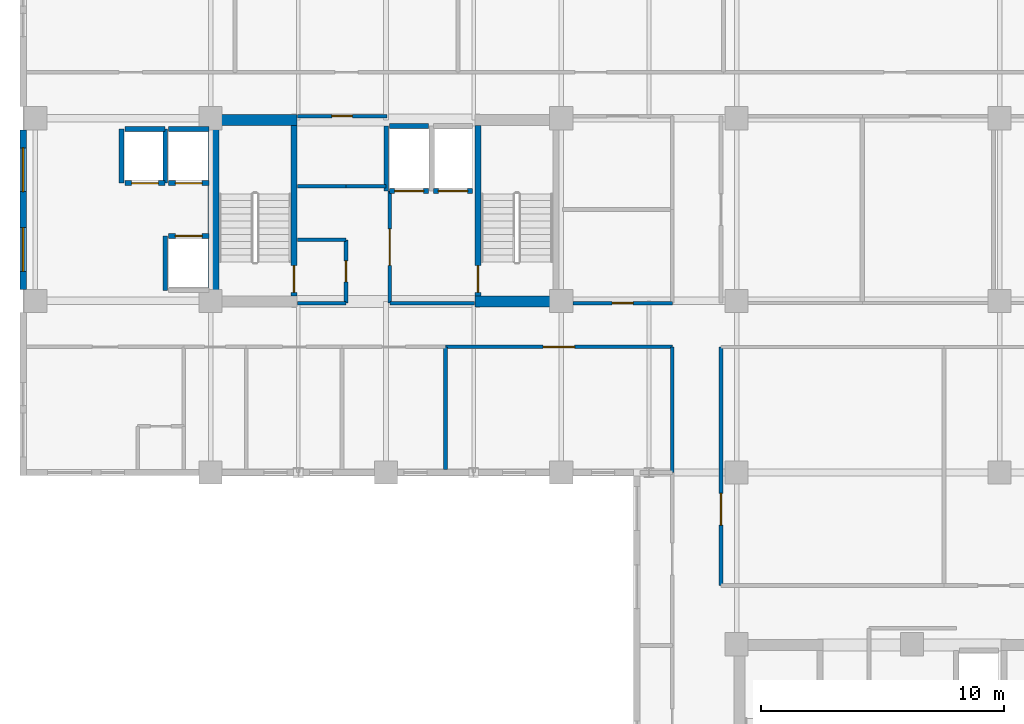
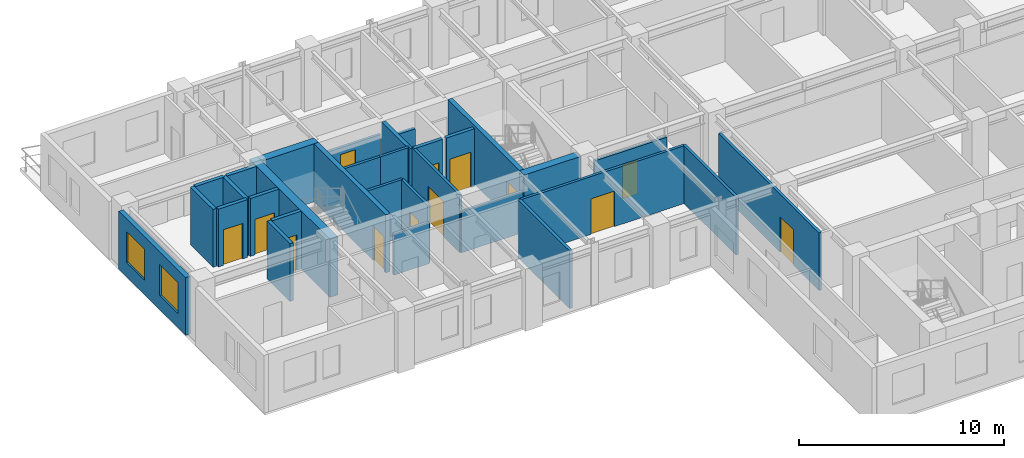
# One storey, part 6 of 13: 31 walls, 13 doors, 2 windows, 15 openings.
"""IFC4 building model written with IfcOpenShell, lengths in metres."""

from ifc_helpers import new_model, si_unit, direction, frame, frame_2d, origin, place, context, subcontext, project, spatial, rectangle, extrude, material, layer, layer_set, type_object, element, fill, save


model = new_model("IFC4")

# Units and contexts
model_context = context("Model", 3, precision=1e-05, world=origin(), true_north=direction((0.0, 1.0)))
body_context = subcontext(model_context, "Body", "Model", "MODEL_VIEW")
ifc_project = project(units=[si_unit("LENGTHUNIT", "METRE"), si_unit("AREAUNIT", "SQUARE_METRE"), si_unit("VOLUMEUNIT", "CUBIC_METRE"), si_unit("PLANEANGLEUNIT", "RADIAN"), si_unit("MASSUNIT", "GRAM", prefix="KILO")], contexts=[model_context])

# Site, building, storey
site_placement = place(None, origin())
site = spatial("IfcSite", under=ifc_project, at=site_placement, CompositionType="ELEMENT")
building_placement = place(site_placement, origin())
building = spatial("IfcBuilding", under=site, at=building_placement, Name="Kaliganga Portal Commons", CompositionType="ELEMENT")
storey_placement = place(building_placement, frame((0.0, 0.0, 209.199951171875)))
storey = spatial("IfcBuildingStorey", under=building, at=storey_placement, Name="L53", CompositionType="ELEMENT", Elevation=209.199951171875)

# Walls
ifc_material_1 = material(Name="Concrete C60/75", Category="concrete")
ifc_layer_1 = layer(ifc_material_1, 0.449951171875)
ifc_layer_set_1 = layer_set([ifc_layer_1], Name="Concrete C60/75")
wall_type_1 = type_object("IfcWallType", Name="WL-CORE-450", PredefinedType="SHEAR", material=ifc_layer_set_1)
wall_1_placement = place(storey_placement, frame((14.52490234375, 28.39990234375, 0.0), z_axis=(0.0, 0.0, 1.0), x_axis=(0.0, 1.0, 0.0)))
element("IfcWall", 1, at=wall_1_placement, inside=storey, type_object=wall_type_1, Name="Core A West Shear Wall L53", PredefinedType="SHEAR", context=body_context, shape_type="SweptSolid", body=[
    extrude(rectangle(XDim=7.900146484375, YDim=0.449951171875, at=frame_2d((3.9501953125, 0.0))), origin(), (0.0, 0.0, 1.0), 3.469970703125),
])
for number, where, z_axis, x_axis, name in (
    (2, (25.25, 28.625, 0.0), (0.0, 0.0, 1.0), (1.0, 0.0, 0.0), "Core A S-East Shear Wall L53"),
    (3, (14.75, 36.074951171875, 0.0), (0.0, 0.0, 1.0), (1.0, 0.0, 0.0), "Core A N-West Shear Wall L53"),
):
    element("IfcWall", number, at=place(storey_placement, frame(where, z_axis=z_axis, x_axis=x_axis)), inside=storey, type_object=wall_type_1, Name=name, PredefinedType="SHEAR", context=body_context, shape_type="SweptSolid", body=[
        extrude(rectangle(XDim=3.199951171875, YDim=0.449951171875, at=frame_2d((1.60009765625, 0.0))), origin(), (0.0, 0.0, 1.0), 3.469970703125),
    ])

# Wall, openings, windows
ifc_material_2 = material(Name="Insulated Aluminium-Clad Spandrel Assembly", Category="aluminium")
ifc_layer_2 = layer(ifc_material_2, 0.260009765625)
ifc_layer_set_2 = layer_set([ifc_layer_2], Name="Insulated Aluminium-Clad Spandrel Assembly")
wall_type_2 = type_object("IfcWallType", Name="WL-EXT-SPAND-260", PredefinedType="STANDARD", material=ifc_layer_set_2)
wall_2_placement = place(storey_placement, frame((6.699951171875, 29.1259765625, 0.0), z_axis=(0.0, 0.0, 1.0), x_axis=(0.0, 1.0, 0.0)))
wall_2 = element("IfcWall", 4, at=wall_2_placement, inside=storey, type_object=wall_type_2, Name="Exterior Envelope Wall L53 P1-E03-S2", PredefinedType="STANDARD", context=body_context, shape_type="SweptSolid", body=[
    extrude(rectangle(XDim=6.548095703125, YDim=0.260009765625, at=frame_2d((3.27392578125, 0.0))), origin(), (0.0, 0.0, 1.0), 3.449951171875),
])
opening_1_placement = place(wall_2_placement, frame((0.737060546875, 0.0, 0.85009765625)))
opening_1 = element("IfcOpeningElement", 5, at=opening_1_placement, cuts=wall_2, Name="Opening W-01", PredefinedType="OPENING", context=body_context, shape_type="SweptSolid", body=[
    extrude(rectangle(XDim=1.800048828125, YDim=1.85009765625, at=frame_2d((0.89990234375, 0.925048828125))), frame((0.0, 0.14013671875, 0.0), z_axis=(0.0, -1.0, 0.0), x_axis=(1.0, 0.0, 0.0)), (0.0, 0.0, 1.0), 0.280029296875),
])
opening_2_placement = place(wall_2_placement, frame((4.010986328125, 0.0, 0.85009765625)))
opening_2 = element("IfcOpeningElement", 6, at=opening_2_placement, cuts=wall_2, Name="Opening W-01", PredefinedType="OPENING", context=body_context, shape_type="SweptSolid", body=[
    extrude(rectangle(XDim=1.800048828125, YDim=1.85009765625, at=frame_2d((0.89990234375, 0.925048828125))), frame((0.0, 0.14013671875, 0.0), z_axis=(0.0, -1.0, 0.0), x_axis=(1.0, 0.0, 0.0)), (0.0, 0.0, 1.0), 0.280029296875),
])
ifc_material_3 = material(Name="Thermally Broken Aluminium and Low-E Double Glazing", Category="aluminium")
window_type = type_object("IfcWindowType", Name="WIN-STD-1800", PartitioningType="DOUBLE_PANEL_VERTICAL", PredefinedType="WINDOW", material=ifc_material_3)
window_1_placement = place(opening_1_placement, origin())
window_1 = element("IfcWindow", 7, at=window_1_placement, inside=storey, type_object=window_type, Name="Facade Window L53-P1E03S2-00", OverallHeight=1.85009765625, OverallWidth=1.800048828125, PartitioningType="SINGLE_PANEL", PredefinedType="WINDOW", context=body_context, shape_type="SweptSolid", body=[
    extrude(rectangle(XDim=1.800048828125, YDim=1.85009765625, at=frame_2d((0.89990234375, 0.925048828125))), frame((0.0, 0.030029296875, 0.0), z_axis=(0.0, -1.0, 0.0), x_axis=(1.0, 0.0, 0.0)), (0.0, 0.0, 1.0), 0.06005859375),
])
fill(opening_1, window_1)
window_2_placement = place(opening_2_placement, origin())
window_2 = element("IfcWindow", 8, at=window_2_placement, inside=storey, type_object=window_type, Name="Facade Window L53-P1E03S2-01", OverallHeight=1.85009765625, OverallWidth=1.800048828125, PartitioningType="SINGLE_PANEL", PredefinedType="WINDOW", context=body_context, shape_type="SweptSolid", body=[
    extrude(rectangle(XDim=1.800048828125, YDim=1.85009765625, at=frame_2d((0.89990234375, 0.925048828125))), frame((0.0, 0.030029296875, 0.0), z_axis=(0.0, -1.0, 0.0), x_axis=(1.0, 0.0, 0.0)), (0.0, 0.0, 1.0), 0.06005859375),
])
fill(opening_2, window_2)

# Wall, opening, door
ifc_material_4 = material(Name="Fire-Rated Gypsum Board on Steel Stud", Category="steel")
ifc_layer_3 = layer(ifc_material_4, 0.14990234375)
ifc_layer_set_3 = layer_set([ifc_layer_3], Name="Fire-Rated Gypsum Board on Steel Stud")
wall_type_3 = type_object("IfcWallType", Name="WL-PART-CORR-150", PredefinedType="PARTITIONING", material=ifc_layer_set_3)
wall_3_placement = place(storey_placement, frame((35.360107421875, 16.9599609375, 0.0), z_axis=(0.0, 0.0, 1.0), x_axis=(0.0, 1.0, 0.0)))
wall_3 = element("IfcWall", 9, at=wall_3_placement, inside=storey, type_object=wall_type_3, Name="Interior Partition L53-009", PredefinedType="PARTITIONING", context=body_context, shape_type="SweptSolid", body=[
    extrude(rectangle(XDim=9.800048828125, YDim=0.14990234375, at=frame_2d((4.89990234375, 0.0))), origin(), (0.0, 0.0, 1.0), 3.449951171875),
])
opening_3_placement = place(wall_3_placement, frame((2.486083984375, 0.0, 0.0)))
opening_3 = element("IfcOpeningElement", 10, at=opening_3_placement, cuts=wall_3, Name="Opening RD-03", PredefinedType="OPENING", context=body_context, shape_type="SweptSolid", body=[
    extrude(rectangle(XDim=1.300048828125, YDim=2.1201171875, at=frame_2d((0.64990234375, 1.06005859375))), frame((0.0, 0.0849609375, 0.0), z_axis=(0.0, -1.0, 0.0), x_axis=(1.0, 0.0, 0.0)), (0.0, 0.0, 1.0), 0.169921875),
])
ifc_material_5 = material(Name="Glazed Timber Seminar Vision Door", Category="wood")
door_type_1 = type_object("IfcDoorType", Name="DR-STUDY-1300", OperationType="DOUBLE_DOOR_SINGLE_SWING", PredefinedType="DOOR", material=ifc_material_5)
door_1_placement = place(opening_3_placement, origin())
door_1 = element("IfcDoor", 11, at=door_1_placement, inside=storey, type_object=door_type_1, Name="Interior Door L53-BM01", OperationType="DOUBLE_DOOR_SINGLE_SWING", OverallHeight=2.1201171875, OverallWidth=1.300048828125, PredefinedType="DOOR", context=body_context, shape_type="SweptSolid", body=[
    extrude(rectangle(XDim=1.300048828125, YDim=2.1201171875, at=frame_2d((0.64990234375, 1.06005859375))), frame((0.0, 0.02490234375, 0.0), z_axis=(0.0, -1.0, 0.0), x_axis=(1.0, 0.0, 0.0)), (0.0, 0.0, 1.0), 0.050048828125),
])
fill(opening_3, door_1)

wall_4_placement = place(storey_placement, frame((24.0400390625, 26.760009765625, 0.0), z_axis=(0.0, 0.0, 1.0), x_axis=(1.0, 0.0, 0.0)))
wall_4 = element("IfcWall", 12, at=wall_4_placement, inside=storey, type_object=wall_type_3, Name="Interior Partition L53-010", PredefinedType="PARTITIONING", context=body_context, shape_type="SweptSolid", body=[
    extrude(rectangle(XDim=9.320068359375, YDim=0.14990234375, at=frame_2d((4.66015625, 0.0))), origin(), (0.0, 0.0, 1.0), 3.449951171875),
])
opening_4_placement = place(wall_4_placement, frame((4.010009765625, 0.0, 0.0)))
opening_4 = element("IfcOpeningElement", 13, at=opening_4_placement, cuts=wall_4, Name="Opening RD-03", PredefinedType="OPENING", context=body_context, shape_type="SweptSolid", body=[
    extrude(rectangle(XDim=1.300048828125, YDim=2.1201171875, at=frame_2d((0.64990234375, 1.06005859375))), frame((0.0, 0.0849609375, 0.0), z_axis=(0.0, -1.0, 0.0), x_axis=(1.0, 0.0, 0.0)), (0.0, 0.0, 1.0), 0.169921875),
])
door_2_placement = place(opening_4_placement, origin())
door_2 = element("IfcDoor", 14, at=door_2_placement, inside=storey, type_object=door_type_1, Name="Interior Door L53-AS05", OperationType="DOUBLE_DOOR_SINGLE_SWING", OverallHeight=2.1201171875, OverallWidth=1.300048828125, PredefinedType="DOOR", context=body_context, shape_type="SweptSolid", body=[
    extrude(rectangle(XDim=1.300048828125, YDim=2.1201171875, at=frame_2d((0.64990234375, 1.06005859375))), frame((0.0, 0.02490234375, 0.0), z_axis=(0.0, -1.0, 0.0), x_axis=(1.0, 0.0, 0.0)), (0.0, 0.0, 1.0), 0.050048828125),
])
fill(opening_4, door_2)

# Wall
wall_5_placement = place(storey_placement, frame((33.360107421875, 21.60009765625, 0.0), z_axis=(0.0, 0.0, 1.0), x_axis=(0.0, 1.0, 0.0)))
element("IfcWall", 15, at=wall_5_placement, inside=storey, type_object=wall_type_3, Name="Interior Partition L53-024", PredefinedType="PARTITIONING", context=body_context, shape_type="SweptSolid", body=[
    extrude(rectangle(XDim=5.159912109375, YDim=0.14990234375, at=frame_2d((2.580078125, 0.0))), origin(), (0.0, 0.0, 1.0), 3.449951171875),
])

# Wall, opening, door
wall_6_placement = place(storey_placement, frame((29.27490234375, 28.56005859375, 0.0), z_axis=(0.0, 0.0, 1.0), x_axis=(1.0, 0.0, 0.0)))
wall_6 = element("IfcWall", 16, at=wall_6_placement, inside=storey, type_object=wall_type_3, Name="Interior Partition L53-027", PredefinedType="PARTITIONING", context=body_context, shape_type="SweptSolid", body=[
    extrude(rectangle(XDim=4.085205078125, YDim=0.14990234375, at=frame_2d((2.04248046875, 0.0))), origin(), (0.0, 0.0, 1.0), 2.85009765625),
])
opening_5_placement = place(wall_6_placement, frame((1.612548828125, 0.0, 0.0)))
opening_5 = element("IfcOpeningElement", 17, at=opening_5_placement, cuts=wall_6, Name="Opening WD-02", PredefinedType="OPENING", context=body_context, shape_type="SweptSolid", body=[
    extrude(rectangle(XDim=0.860107421875, YDim=2.02001953125, at=frame_2d((0.43017578125, 1.010009765625))), frame((0.0, 0.0849609375, 0.0), z_axis=(0.0, -1.0, 0.0), x_axis=(1.0, 0.0, 0.0)), (0.0, 0.0, 1.0), 0.169921875),
])
ifc_material_6 = material(Name="Fire-Rated Utility Closet Door", Category="wood")
door_type_2 = type_object("IfcDoorType", Name="DR-STORE-800", OperationType="NOTDEFINED", PredefinedType="DOOR", material=ifc_material_6)
door_3_placement = place(opening_5_placement, origin())
door_3 = element("IfcDoor", 18, at=door_3_placement, inside=storey, type_object=door_type_2, Name="Interior Door L53-CSRV_A1", OperationType="SINGLE_SWING_LEFT", OverallHeight=2.02001953125, OverallWidth=0.860107421875, PredefinedType="DOOR", context=body_context, shape_type="SweptSolid", body=[
    extrude(rectangle(XDim=0.860107421875, YDim=2.02001953125, at=frame_2d((0.43017578125, 1.010009765625))), frame((0.0, 0.02490234375, 0.0), z_axis=(0.0, -1.0, 0.0), x_axis=(1.0, 0.0, 0.0)), (0.0, 0.0, 1.0), 0.050048828125),
])
fill(opening_5, door_3)

wall_7_placement = place(storey_placement, frame((17.9599609375, 36.239990234375, 0.0), z_axis=(0.0, 0.0, 1.0), x_axis=(1.0, 0.0, 0.0)))
wall_7 = element("IfcWall", 19, at=wall_7_placement, inside=storey, type_object=wall_type_3, Name="Interior Partition L53-035", PredefinedType="PARTITIONING", context=body_context, shape_type="SweptSolid", body=[
    extrude(rectangle(XDim=3.679931640625, YDim=0.14990234375, at=frame_2d((1.83984375, 0.0))), origin(), (0.0, 0.0, 1.0), 2.449951171875),
])
opening_6_placement = place(wall_7_placement, frame((1.4150390625, 0.0, 0.0)))
opening_6 = element("IfcOpeningElement", 20, at=opening_6_placement, cuts=wall_7, Name="Opening WD-01", PredefinedType="OPENING", context=body_context, shape_type="SweptSolid", body=[
    extrude(rectangle(XDim=0.85009765625, YDim=2.0400390625, at=frame_2d((0.425048828125, 1.02001953125))), frame((0.0, 0.0849609375, 0.0), z_axis=(0.0, -1.0, 0.0), x_axis=(1.0, 0.0, 0.0)), (0.0, 0.0, 1.0), 0.169921875),
])
ifc_material_7 = material(Name="Moisture-Resistant Laminate Timber Door", Category="wood")
door_type_3 = type_object("IfcDoorType", Name="DR-WET-850", OperationType="NOTDEFINED", PredefinedType="DOOR", material=ifc_material_7)
door_4_placement = place(opening_6_placement, origin())
door_4 = element("IfcDoor", 21, at=door_4_placement, inside=storey, type_object=door_type_3, Name="Interior Door L53-CREC_A1", OperationType="SINGLE_SWING_LEFT", OverallHeight=2.0400390625, OverallWidth=0.85009765625, PredefinedType="DOOR", context=body_context, shape_type="SweptSolid", body=[
    extrude(rectangle(XDim=0.85009765625, YDim=2.0400390625, at=frame_2d((0.425048828125, 1.02001953125))), frame((0.0, 0.02490234375, 0.0), z_axis=(0.0, -1.0, 0.0), x_axis=(1.0, 0.0, 0.0)), (0.0, 0.0, 1.0), 0.050048828125),
])
fill(opening_6, door_4)

wall_8_placement = place(storey_placement, frame((19.9599609375, 28.56005859375, 0.0), z_axis=(0.0, 0.0, 1.0), x_axis=(0.0, 1.0, 0.0)))
wall_8 = element("IfcWall", 22, at=wall_8_placement, inside=storey, type_object=wall_type_3, Name="Interior Partition L53-039", PredefinedType="PARTITIONING", context=body_context, shape_type="SweptSolid", body=[
    extrude(rectangle(XDim=2.599853515625, YDim=0.14990234375, at=frame_2d((1.2998046875, 0.0))), origin(), (0.0, 0.0, 1.0), 3.449951171875),
])
opening_7_placement = place(wall_8_placement, frame((0.8701171875, 0.0, 0.0)))
opening_7 = element("IfcOpeningElement", 23, at=opening_7_placement, cuts=wall_8, Name="Opening WD-02", PredefinedType="OPENING", context=body_context, shape_type="SweptSolid", body=[
    extrude(rectangle(XDim=0.860107421875, YDim=2.02001953125, at=frame_2d((0.43017578125, 1.010009765625))), frame((0.0, 0.0849609375, 0.0), z_axis=(0.0, -1.0, 0.0), x_axis=(1.0, 0.0, 0.0)), (0.0, 0.0, 1.0), 0.169921875),
])
door_5_placement = place(opening_7_placement, origin())
door_5 = element("IfcDoor", 24, at=door_5_placement, inside=storey, type_object=door_type_2, Name="Interior Door L53-CIN_A1", OperationType="SINGLE_SWING_LEFT", OverallHeight=2.02001953125, OverallWidth=0.860107421875, PredefinedType="DOOR", context=body_context, shape_type="SweptSolid", body=[
    extrude(rectangle(XDim=0.860107421875, YDim=2.02001953125, at=frame_2d((0.43017578125, 1.010009765625))), frame((0.0, 0.02490234375, 0.0), z_axis=(0.0, -1.0, 0.0), x_axis=(1.0, 0.0, 0.0)), (0.0, 0.0, 1.0), 0.050048828125),
])
fill(opening_7, door_5)

# Walls
wall_9_placement = place(storey_placement, frame((17.9599609375, 28.56005859375, 0.0), z_axis=(0.0, 0.0, 1.0), x_axis=(1.0, 0.0, 0.0)))
element("IfcWall", 25, at=wall_9_placement, inside=storey, type_object=wall_type_3, Name="Interior Partition L53-041", PredefinedType="PARTITIONING", context=body_context, shape_type="SweptSolid", body=[
    extrude(rectangle(XDim=2.0, YDim=0.14990234375, at=frame_2d((1.0, 0.0))), origin(), (0.0, 0.0, 1.0), 2.449951171875),
])
for number, where, z_axis, x_axis, name in (
    (26, (17.9599609375, 31.159912109375, 0.0), (0.0, 0.0, 1.0), (1.0, 0.0, 0.0), "Interior Partition L53-042"),
    (27, (17.9599609375, 33.360107421875, 0.0), (0.0, 0.0, 1.0), (1.0, 0.0, 0.0), "Interior Partition L53-043"),
):
    element("IfcWall", number, at=place(storey_placement, frame(where, z_axis=z_axis, x_axis=x_axis)), inside=storey, type_object=wall_type_3, Name=name, PredefinedType="PARTITIONING", context=body_context, shape_type="SweptSolid", body=[
        extrude(rectangle(XDim=2.0, YDim=0.14990234375, at=frame_2d((1.0, 0.0))), origin(), (0.0, 0.0, 1.0), 3.449951171875),
    ])
wall_10_placement = place(storey_placement, frame((19.9599609375, 33.360107421875, 0.0), z_axis=(0.0, 0.0, 1.0), x_axis=(1.0, 0.0, 0.0)))
element("IfcWall", 28, at=wall_10_placement, inside=storey, type_object=wall_type_3, Name="Interior Partition L53-045", PredefinedType="PARTITIONING", context=body_context, shape_type="SweptSolid", body=[
    extrude(rectangle(XDim=1.650146484375, YDim=0.14990234375, at=frame_2d((0.8251953125, 0.0))), origin(), (0.0, 0.0, 1.0), 3.449951171875),
])

# Wall, opening, door
wall_11_placement = place(storey_placement, frame((21.760009765625, 28.56005859375, 0.0), z_axis=(0.0, 0.0, 1.0), x_axis=(0.0, 1.0, 0.0)))
wall_11 = element("IfcWall", 29, at=wall_11_placement, inside=storey, type_object=wall_type_3, Name="Interior Partition L53-067", PredefinedType="PARTITIONING", context=body_context, shape_type="SweptSolid", body=[
    extrude(rectangle(XDim=4.599853515625, YDim=0.14990234375, at=frame_2d((2.2998046875, 0.0))), origin(), (0.0, 0.0, 1.0), 3.449951171875),
])
opening_8_placement = place(wall_11_placement, frame((1.550048828125, 0.0, 0.0)))
opening_8 = element("IfcOpeningElement", 30, at=opening_8_placement, cuts=wall_11, Name="Opening FD-01", PredefinedType="OPENING", context=body_context, shape_type="SweptSolid", body=[
    extrude(rectangle(XDim=1.5, YDim=2.10009765625, at=frame_2d((0.75, 1.050048828125))), frame((0.0, 0.0849609375, 0.0), z_axis=(0.0, -1.0, 0.0), x_axis=(1.0, 0.0, 0.0)), (0.0, 0.0, 1.0), 0.169921875),
])
ifc_material_8 = material(Name="Fire-Rated Hardwood and Georgian-Wired Vision Panel", Category="wood")
door_type_4 = type_object("IfcDoorType", Name="DR-LOBBY-1500", OperationType="DOUBLE_DOOR_SINGLE_SWING", PredefinedType="DOOR", material=ifc_material_8)
door_6_placement = place(opening_8_placement, origin())
door_6 = element("IfcDoor", 31, at=door_6_placement, inside=storey, type_object=door_type_4, Name="Interior Door L53-FFLOB_A", OperationType="DOUBLE_DOOR_SINGLE_SWING", OverallHeight=2.10009765625, OverallWidth=1.5, PredefinedType="DOOR", context=body_context, shape_type="SweptSolid", body=[
    extrude(rectangle(XDim=1.5, YDim=2.10009765625, at=frame_2d((0.75, 1.050048828125))), frame((0.0, 0.02490234375, 0.0), z_axis=(0.0, -1.0, 0.0), x_axis=(1.0, 0.0, 0.0)), (0.0, 0.0, 1.0), 0.050048828125),
])
fill(opening_8, door_6)

# Walls
wall_12_placement = place(storey_placement, frame((21.760009765625, 28.56005859375, 0.0), z_axis=(0.0, 0.0, 1.0), x_axis=(1.0, 0.0, 0.0)))
element("IfcWall", 32, at=wall_12_placement, inside=storey, type_object=wall_type_3, Name="Interior Partition L53-071", PredefinedType="PARTITIONING", context=body_context, shape_type="SweptSolid", body=[
    extrude(rectangle(XDim=3.47998046875, YDim=0.14990234375, at=frame_2d((1.739990234375, 0.0))), origin(), (0.0, 0.0, 1.0), 2.449951171875),
])
ifc_material_9 = material(Name="Twin-Stud Acoustic Gypsum Partition", Category="gypsum")
ifc_layer_4 = layer(ifc_material_9, 0.1650390625)
ifc_layer_set_4 = layer_set([ifc_layer_4], Name="Twin-Stud Acoustic Gypsum Partition")
wall_type_4 = type_object("IfcWallType", Name="WL-PART-UNIT-165", PredefinedType="PARTITIONING", material=ifc_layer_set_4)
wall_13_placement = place(storey_placement, frame((24.0400390625, 21.73193359375, 0.0), z_axis=(0.0, 0.0, 1.0), x_axis=(0.0, 1.0, 0.0)))
element("IfcWall", 33, at=wall_13_placement, inside=storey, type_object=wall_type_4, Name="Interior Partition L53-064", PredefinedType="PARTITIONING", context=body_context, shape_type="SweptSolid", body=[
    extrude(rectangle(XDim=5.028076171875, YDim=0.1650390625, at=frame_2d((2.51416015625, 0.0))), origin(), (0.0, 0.0, 1.0), 3.449951171875),
])

# Wall, opening, door
ifc_material_10 = material(Name="Fire-Rated Shaftwall Masonry Assembly", Category="masonry")
ifc_layer_5 = layer(ifc_material_10, 0.199951171875)
ifc_layer_set_5 = layer_set([ifc_layer_5], Name="Fire-Rated Shaftwall Masonry Assembly")
wall_type_5 = type_object("IfcWallType", Name="WL-SHAFT-200", PredefinedType="PARTITIONING", material=ifc_layer_set_5)
wall_14_placement = place(storey_placement, frame((12.675048828125, 33.485107421875, 0.0), z_axis=(0.0, 0.0, 1.0), x_axis=(1.0, 0.0, 0.0)))
wall_14 = element("IfcWall", 34, at=wall_14_placement, inside=storey, type_object=wall_type_5, Name="Lift PL-A3 Hoistway Shaft Wall L53-S", PredefinedType="PARTITIONING", context=body_context, shape_type="SweptSolid", body=[
    extrude(rectangle(XDim=1.64990234375, YDim=0.199951171875, at=frame_2d((0.824951171875, 0.0))), origin(), (0.0, 0.0, 1.0), 3.449951171875),
])
opening_9_placement = place(wall_14_placement, frame((0.27490234375, 0.0, 0.0)))
opening_9 = element("IfcOpeningElement", 35, at=opening_9_placement, cuts=wall_14, Name="Opening LD-01", PredefinedType="OPENING", context=body_context, shape_type="SweptSolid", body=[
    extrude(rectangle(XDim=1.10009765625, YDim=2.1201171875, at=frame_2d((0.550048828125, 1.06005859375))), frame((0.0, 0.10986328125, 0.0), z_axis=(0.0, -1.0, 0.0), x_axis=(1.0, 0.0, 0.0)), (0.0, 0.0, 1.0), 0.219970703125),
])
ifc_material_11 = material(Name="Brushed Stainless Steel 316 Lift Landing Door", Category="steel")
door_type_5 = type_object("IfcDoorType", Name="DR-LIFT-1100", OperationType="SLIDING_TO_LEFT", PredefinedType="DOOR", material=ifc_material_11)
door_7_placement = place(opening_9_placement, origin())
door_7 = element("IfcDoor", 36, at=door_7_placement, inside=storey, type_object=door_type_5, Name="Lift PL-A3 Sliding Landing Door L53", OperationType="SLIDING_TO_LEFT", OverallHeight=2.1201171875, OverallWidth=1.10009765625, PredefinedType="DOOR", context=body_context, shape_type="SweptSolid", body=[
    extrude(rectangle(XDim=1.10009765625, YDim=2.1201171875, at=frame_2d((0.550048828125, 1.06005859375))), frame((0.0, 0.02490234375, 0.0), z_axis=(0.0, -1.0, 0.0), x_axis=(1.0, 0.0, 0.0)), (0.0, 0.0, 1.0), 0.050048828125),
])
fill(opening_9, door_7)

# Walls
wall_15_placement = place(storey_placement, frame((12.675048828125, 35.715087890625, 0.0), z_axis=(0.0, 0.0, 1.0), x_axis=(1.0, 0.0, 0.0)))
element("IfcWall", 37, at=wall_15_placement, inside=storey, type_object=wall_type_5, Name="Lift PL-A3 Hoistway Shaft Wall L53-N", PredefinedType="PARTITIONING", context=body_context, shape_type="SweptSolid", body=[
    extrude(rectangle(XDim=1.64990234375, YDim=0.199951171875, at=frame_2d((0.824951171875, 0.0))), origin(), (0.0, 0.0, 1.0), 3.449951171875),
])
wall_16_placement = place(storey_placement, frame((12.534912109375, 33.485107421875, 0.0), z_axis=(0.0, 0.0, 1.0), x_axis=(0.0, 1.0, 0.0)))
element("IfcWall", 38, at=wall_16_placement, inside=storey, type_object=wall_type_5, Name="Lift PL-A3 Hoistway Shaft Wall L53-W", PredefinedType="PARTITIONING", context=body_context, shape_type="SweptSolid", body=[
    extrude(rectangle(XDim=2.22998046875, YDim=0.199951171875, at=frame_2d((1.114990234375, 0.0))), origin(), (0.0, 0.0, 1.0), 3.449951171875),
])

# Wall, opening, door
wall_17_placement = place(storey_placement, frame((12.675048828125, 31.31494140625, 0.0), z_axis=(0.0, 0.0, 1.0), x_axis=(1.0, 0.0, 0.0)))
wall_17 = element("IfcWall", 39, at=wall_17_placement, inside=storey, type_object=wall_type_5, Name="Lift PL-A4 Hoistway Shaft Wall L53-N", PredefinedType="PARTITIONING", context=body_context, shape_type="SweptSolid", body=[
    extrude(rectangle(XDim=1.64990234375, YDim=0.199951171875, at=frame_2d((0.824951171875, 0.0))), origin(), (0.0, 0.0, 1.0), 3.449951171875),
])
opening_10_placement = place(wall_17_placement, frame((0.27490234375, 0.0, 0.0)))
opening_10 = element("IfcOpeningElement", 40, at=opening_10_placement, cuts=wall_17, Name="Opening LD-01", PredefinedType="OPENING", context=body_context, shape_type="SweptSolid", body=[
    extrude(rectangle(XDim=1.10009765625, YDim=2.1201171875, at=frame_2d((0.550048828125, 1.06005859375))), frame((0.0, 0.10986328125, 0.0), z_axis=(0.0, -1.0, 0.0), x_axis=(1.0, 0.0, 0.0)), (0.0, 0.0, 1.0), 0.219970703125),
])
door_8_placement = place(opening_10_placement, origin())
door_8 = element("IfcDoor", 41, at=door_8_placement, inside=storey, type_object=door_type_5, Name="Lift PL-A4 Sliding Landing Door L53", OperationType="SLIDING_TO_LEFT", OverallHeight=2.1201171875, OverallWidth=1.10009765625, PredefinedType="DOOR", context=body_context, shape_type="SweptSolid", body=[
    extrude(rectangle(XDim=1.10009765625, YDim=2.1201171875, at=frame_2d((0.550048828125, 1.06005859375))), frame((0.0, 0.02490234375, 0.0), z_axis=(0.0, -1.0, 0.0), x_axis=(1.0, 0.0, 0.0)), (0.0, 0.0, 1.0), 0.050048828125),
])
fill(opening_10, door_8)

# Wall
wall_18_placement = place(storey_placement, frame((12.534912109375, 29.0849609375, 0.0), z_axis=(0.0, 0.0, 1.0), x_axis=(0.0, 1.0, 0.0)))
element("IfcWall", 42, at=wall_18_placement, inside=storey, type_object=wall_type_5, Name="Lift PL-A4 Hoistway Shaft Wall L53-W", PredefinedType="PARTITIONING", context=body_context, shape_type="SweptSolid", body=[
    extrude(rectangle(XDim=2.22998046875, YDim=0.199951171875, at=frame_2d((1.114990234375, 0.0))), origin(), (0.0, 0.0, 1.0), 3.449951171875),
])

# Wall, opening, door
wall_19_placement = place(storey_placement, frame((10.875, 33.485107421875, 0.0), z_axis=(0.0, 0.0, 1.0), x_axis=(1.0, 0.0, 0.0)))
wall_19 = element("IfcWall", 43, at=wall_19_placement, inside=storey, type_object=wall_type_5, Name="Lift PL-OBS Hoistway Shaft Wall L53-S", PredefinedType="PARTITIONING", context=body_context, shape_type="SweptSolid", body=[
    extrude(rectangle(XDim=1.64990234375, YDim=0.199951171875, at=frame_2d((0.824951171875, 0.0))), origin(), (0.0, 0.0, 1.0), 3.449951171875),
])
opening_11_placement = place(wall_19_placement, frame((0.27490234375, 0.0, 0.0)))
opening_11 = element("IfcOpeningElement", 44, at=opening_11_placement, cuts=wall_19, Name="Opening LD-01", PredefinedType="OPENING", context=body_context, shape_type="SweptSolid", body=[
    extrude(rectangle(XDim=1.10009765625, YDim=2.1201171875, at=frame_2d((0.550048828125, 1.06005859375))), frame((0.0, 0.10986328125, 0.0), z_axis=(0.0, -1.0, 0.0), x_axis=(1.0, 0.0, 0.0)), (0.0, 0.0, 1.0), 0.219970703125),
])
door_9_placement = place(opening_11_placement, origin())
door_9 = element("IfcDoor", 45, at=door_9_placement, inside=storey, type_object=door_type_5, Name="Lift PL-OBS Sliding Landing Door L53", OperationType="SLIDING_TO_LEFT", OverallHeight=2.1201171875, OverallWidth=1.10009765625, PredefinedType="DOOR", context=body_context, shape_type="SweptSolid", body=[
    extrude(rectangle(XDim=1.10009765625, YDim=2.1201171875, at=frame_2d((0.550048828125, 1.06005859375))), frame((0.0, 0.02490234375, 0.0), z_axis=(0.0, -1.0, 0.0), x_axis=(1.0, 0.0, 0.0)), (0.0, 0.0, 1.0), 0.050048828125),
])
fill(opening_11, door_9)

# Walls
wall_20_placement = place(storey_placement, frame((10.875, 35.715087890625, 0.0), z_axis=(0.0, 0.0, 1.0), x_axis=(1.0, 0.0, 0.0)))
element("IfcWall", 46, at=wall_20_placement, inside=storey, type_object=wall_type_5, Name="Lift PL-OBS Hoistway Shaft Wall L53-N", PredefinedType="PARTITIONING", context=body_context, shape_type="SweptSolid", body=[
    extrude(rectangle(XDim=1.64990234375, YDim=0.199951171875, at=frame_2d((0.824951171875, 0.0))), origin(), (0.0, 0.0, 1.0), 3.449951171875),
])
wall_21_placement = place(storey_placement, frame((10.735107421875, 33.485107421875, 0.0), z_axis=(0.0, 0.0, 1.0), x_axis=(0.0, 1.0, 0.0)))
element("IfcWall", 47, at=wall_21_placement, inside=storey, type_object=wall_type_5, Name="Lift PL-OBS Hoistway Shaft Wall L53-W", PredefinedType="PARTITIONING", context=body_context, shape_type="SweptSolid", body=[
    extrude(rectangle(XDim=2.22998046875, YDim=0.199951171875, at=frame_2d((1.114990234375, 0.0))), origin(), (0.0, 0.0, 1.0), 3.449951171875),
])

# Wall, opening, door
wall_22_placement = place(storey_placement, frame((21.75, 33.159912109375, 0.0), z_axis=(0.0, 0.0, 1.0), x_axis=(1.0, 0.0, 0.0)))
wall_22 = element("IfcWall", 48, at=wall_22_placement, inside=storey, type_object=wall_type_5, Name="Lift FFL-1 Hoistway Shaft Wall L53-S", PredefinedType="PARTITIONING", context=body_context, shape_type="SweptSolid", body=[
    extrude(rectangle(XDim=1.60009765625, YDim=0.199951171875, at=frame_2d((0.800048828125, 0.0))), origin(), (0.0, 0.0, 1.0), 3.449951171875),
])
opening_12_placement = place(wall_22_placement, frame((0.199951171875, 0.0, 0.0)))
opening_12 = element("IfcOpeningElement", 49, at=opening_12_placement, cuts=wall_22, Name="Opening LD-02", PredefinedType="OPENING", context=body_context, shape_type="SweptSolid", body=[
    extrude(rectangle(XDim=1.199951171875, YDim=2.1201171875, at=frame_2d((0.60009765625, 1.06005859375))), frame((0.0, 0.10986328125, 0.0), z_axis=(0.0, -1.0, 0.0), x_axis=(1.0, 0.0, 0.0)), (0.0, 0.0, 1.0), 0.219970703125),
])
ifc_material_12 = material(Name="Brushed Stainless Steel 316 Stretcher Lift Landing Door", Category="steel")
door_type_6 = type_object("IfcDoorType", Name="DR-LIFT-1200", OperationType="SLIDING_TO_RIGHT", PredefinedType="DOOR", material=ifc_material_12)
door_10_placement = place(opening_12_placement, origin())
door_10 = element("IfcDoor", 50, at=door_10_placement, inside=storey, type_object=door_type_6, Name="Lift FFL-1 Sliding Landing Door L53", OperationType="SLIDING_TO_RIGHT", OverallHeight=2.1201171875, OverallWidth=1.199951171875, PredefinedType="DOOR", context=body_context, shape_type="SweptSolid", body=[
    extrude(rectangle(XDim=1.199951171875, YDim=2.1201171875, at=frame_2d((0.60009765625, 1.06005859375))), frame((0.0, 0.02490234375, 0.0), z_axis=(0.0, -1.0, 0.0), x_axis=(1.0, 0.0, 0.0)), (0.0, 0.0, 1.0), 0.050048828125),
])
fill(opening_12, door_10)

# Walls
wall_23_placement = place(storey_placement, frame((21.75, 35.840087890625, 0.0), z_axis=(0.0, 0.0, 1.0), x_axis=(1.0, 0.0, 0.0)))
element("IfcWall", 51, at=wall_23_placement, inside=storey, type_object=wall_type_5, Name="Lift FFL-1 Hoistway Shaft Wall L53-N", PredefinedType="PARTITIONING", context=body_context, shape_type="SweptSolid", body=[
    extrude(rectangle(XDim=1.60009765625, YDim=0.199951171875, at=frame_2d((0.800048828125, 0.0))), origin(), (0.0, 0.0, 1.0), 2.449951171875),
])
wall_24_placement = place(storey_placement, frame((21.610107421875, 33.159912109375, 0.0), z_axis=(0.0, 0.0, 1.0), x_axis=(0.0, 1.0, 0.0)))
element("IfcWall", 52, at=wall_24_placement, inside=storey, type_object=wall_type_5, Name="Lift FFL-1 Hoistway Shaft Wall L53-W", PredefinedType="PARTITIONING", context=body_context, shape_type="SweptSolid", body=[
    extrude(rectangle(XDim=2.68017578125, YDim=0.199951171875, at=frame_2d((1.340087890625, 0.0))), origin(), (0.0, 0.0, 1.0), 3.449951171875),
])

# Wall, opening, door
wall_25_placement = place(storey_placement, frame((23.550048828125, 33.159912109375, 0.0), z_axis=(0.0, 0.0, 1.0), x_axis=(1.0, 0.0, 0.0)))
wall_25 = element("IfcWall", 53, at=wall_25_placement, inside=storey, type_object=wall_type_5, Name="Lift FFL-2 Hoistway Shaft Wall L53-S", PredefinedType="PARTITIONING", context=body_context, shape_type="SweptSolid", body=[
    extrude(rectangle(XDim=1.599853515625, YDim=0.199951171875, at=frame_2d((0.7998046875, 0.0))), origin(), (0.0, 0.0, 1.0), 3.449951171875),
])
opening_13_placement = place(wall_25_placement, frame((0.199951171875, 0.0, 0.0)))
opening_13 = element("IfcOpeningElement", 54, at=opening_13_placement, cuts=wall_25, Name="Opening LD-02", PredefinedType="OPENING", context=body_context, shape_type="SweptSolid", body=[
    extrude(rectangle(XDim=1.199951171875, YDim=2.1201171875, at=frame_2d((0.60009765625, 1.06005859375))), frame((0.0, 0.10986328125, 0.0), z_axis=(0.0, -1.0, 0.0), x_axis=(1.0, 0.0, 0.0)), (0.0, 0.0, 1.0), 0.219970703125),
])
door_11_placement = place(opening_13_placement, origin())
door_11 = element("IfcDoor", 55, at=door_11_placement, inside=storey, type_object=door_type_6, Name="Lift FFL-2 Sliding Landing Door L53", OperationType="SLIDING_TO_RIGHT", OverallHeight=2.1201171875, OverallWidth=1.199951171875, PredefinedType="DOOR", context=body_context, shape_type="SweptSolid", body=[
    extrude(rectangle(XDim=1.199951171875, YDim=2.1201171875, at=frame_2d((0.60009765625, 1.06005859375))), frame((0.0, 0.02490234375, 0.0), z_axis=(0.0, -1.0, 0.0), x_axis=(1.0, 0.0, 0.0)), (0.0, 0.0, 1.0), 0.050048828125),
])
fill(opening_13, door_11)

ifc_material_13 = material(Name="Concrete C50/60", Category="concrete")
ifc_layer_6 = layer(ifc_material_13, 0.25)
ifc_layer_set_6 = layer_set([ifc_layer_6], Name="Concrete C50/60")
wall_type_6 = type_object("IfcWallType", Name="WL-STAIR-250", PredefinedType="SHEAR", material=ifc_layer_set_6)
wall_26_placement = place(storey_placement, frame((17.824951171875, 28.85009765625, 0.0), z_axis=(0.0, 0.0, 1.0), x_axis=(0.0, 1.0, 0.0)))
wall_26 = element("IfcWall", 56, at=wall_26_placement, inside=storey, type_object=wall_type_6, Name="Stair A1 Enclosure Shear Wall L53", PredefinedType="SHEAR", context=body_context, shape_type="SweptSolid", body=[
    extrude(rectangle(XDim=7.0, YDim=0.25, at=frame_2d((3.5, 0.0))), origin(), (0.0, 0.0, 1.0), 3.469970703125),
])
opening_14_placement = place(wall_26_placement, frame((0.14990234375, 0.0, 0.0)))
opening_14 = element("IfcOpeningElement", 57, at=opening_14_placement, cuts=wall_26, Name="Opening SD-01", PredefinedType="OPENING", context=body_context, shape_type="SweptSolid", body=[
    extrude(rectangle(XDim=1.10009765625, YDim=2.080078125, at=frame_2d((0.550048828125, 1.0400390625))), frame((0.0, 0.135009765625, 0.0), z_axis=(0.0, -1.0, 0.0), x_axis=(1.0, 0.0, 0.0)), (0.0, 0.0, 1.0), 0.27001953125),
])
ifc_material_14 = material(Name="Galvanized Steel Fire Door Leaf and Frame", Category="steel")
door_type_7 = type_object("IfcDoorType", Name="DR-STAIR-1100", OperationType="NOTDEFINED", PredefinedType="DOOR", material=ifc_material_14)
door_12_placement = place(opening_14_placement, origin())
door_12 = element("IfcDoor", 58, at=door_12_placement, inside=storey, type_object=door_type_7, Name="Protected Stair ST-A1 Fire Door L53", OperationType="SINGLE_SWING_LEFT", OverallHeight=2.080078125, OverallWidth=1.10009765625, PredefinedType="DOOR", context=body_context, shape_type="SweptSolid", body=[
    extrude(rectangle(XDim=1.10009765625, YDim=2.080078125, at=frame_2d((0.550048828125, 1.0400390625))), frame((0.0, 0.02490234375, 0.0), z_axis=(0.0, -1.0, 0.0), x_axis=(1.0, 0.0, 0.0)), (0.0, 0.0, 1.0), 0.050048828125),
])
fill(opening_14, door_12)

wall_27_placement = place(storey_placement, frame((25.375, 28.85009765625, 0.0), z_axis=(0.0, 0.0, 1.0), x_axis=(0.0, 1.0, 0.0)))
wall_27 = element("IfcWall", 59, at=wall_27_placement, inside=storey, type_object=wall_type_6, Name="Stair A2 Enclosure Shear Wall L53", PredefinedType="SHEAR", context=body_context, shape_type="SweptSolid", body=[
    extrude(rectangle(XDim=7.0, YDim=0.25, at=frame_2d((3.5, 0.0))), origin(), (0.0, 0.0, 1.0), 3.469970703125),
])
opening_15_placement = place(wall_27_placement, frame((0.14990234375, 0.0, 0.0)))
opening_15 = element("IfcOpeningElement", 60, at=opening_15_placement, cuts=wall_27, Name="Opening SD-01", PredefinedType="OPENING", context=body_context, shape_type="SweptSolid", body=[
    extrude(rectangle(XDim=1.10009765625, YDim=2.080078125, at=frame_2d((0.550048828125, 1.0400390625))), frame((0.0, 0.135009765625, 0.0), z_axis=(0.0, -1.0, 0.0), x_axis=(1.0, 0.0, 0.0)), (0.0, 0.0, 1.0), 0.27001953125),
])
door_13_placement = place(opening_15_placement, origin())
door_13 = element("IfcDoor", 61, at=door_13_placement, inside=storey, type_object=door_type_7, Name="Protected Stair ST-A2 Fire Door L53", OperationType="SINGLE_SWING_RIGHT", OverallHeight=2.080078125, OverallWidth=1.10009765625, PredefinedType="DOOR", context=body_context, shape_type="SweptSolid", body=[
    extrude(rectangle(XDim=1.10009765625, YDim=2.080078125, at=frame_2d((0.550048828125, 1.0400390625))), frame((0.0, 0.02490234375, 0.0), z_axis=(0.0, -1.0, 0.0), x_axis=(1.0, 0.0, 0.0)), (0.0, 0.0, 1.0), 0.050048828125),
])
fill(opening_15, door_13)

save(model, "model.ifc")
